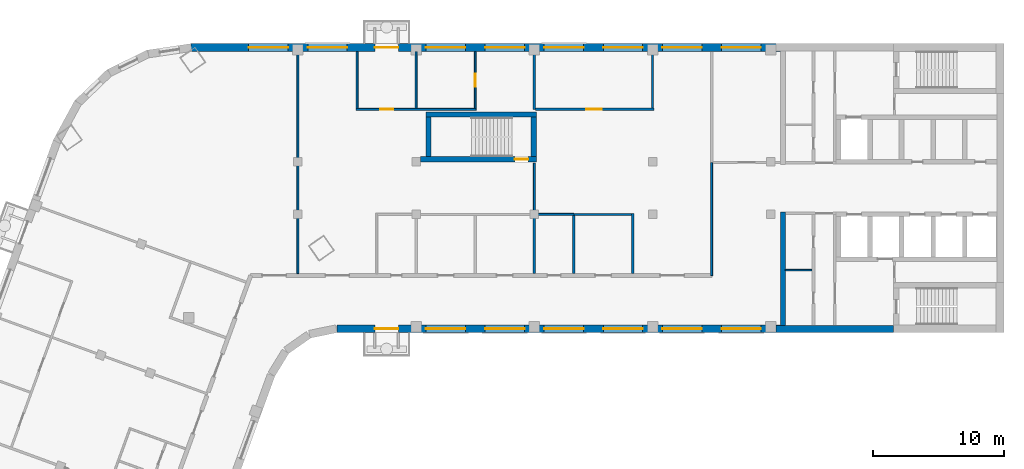
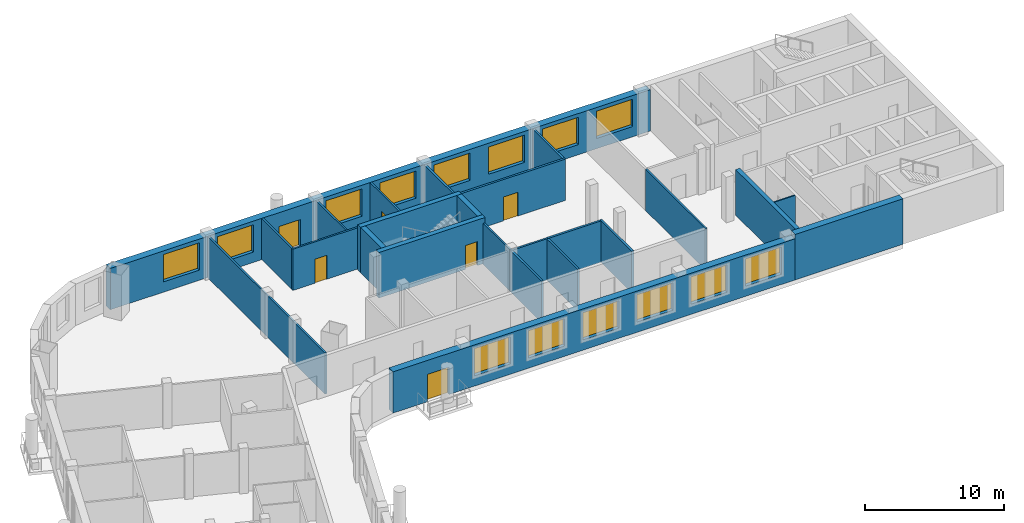
# One storey, part 5 of 11: 24 walls, 14 windows, 6 doors, 20 openings.
"""IFC4 building model written with IfcOpenShell, lengths in metres."""

from ifc_helpers import new_model, si_unit, direction, frame, frame_2d, origin, place, context, subcontext, project, spatial, rectangle, extrude, material, layer, layer_set, type_object, element, fill, save


model = new_model("IFC4")

# Units and contexts
model_context = context("Model", 3, precision=1e-05, world=origin(), true_north=direction((0.0, 1.0)))
body_context = subcontext(model_context, "Body", "Model", "MODEL_VIEW")
ifc_project = project(units=[si_unit("LENGTHUNIT", "METRE"), si_unit("AREAUNIT", "SQUARE_METRE"), si_unit("VOLUMEUNIT", "CUBIC_METRE"), si_unit("PLANEANGLEUNIT", "RADIAN"), si_unit("MASSUNIT", "GRAM", prefix="KILO")], contexts=[model_context])

# Site, building, storey
site_placement = place(None, origin())
site = spatial("IfcSite", under=ifc_project, at=site_placement, CompositionType="ELEMENT")
building_placement = place(site_placement, origin())
building = spatial("IfcBuilding", under=site, at=building_placement, Name="Skarvind Civic Tower", CompositionType="ELEMENT")
storey_placement = place(building_placement, frame((0.0, 0.0, 142.5)))
storey = spatial("IfcBuildingStorey", under=building, at=storey_placement, Name="L33", CompositionType="ELEMENT", Elevation=142.5)

# Walls
ifc_material_1 = material(Name="Acoustic gypsum board on steel studs", Category="steel")
ifc_layer_1 = layer(ifc_material_1, 0.175048828125)
ifc_layer_set_1 = layer_set([ifc_layer_1], Name="ACOUSTIC MEETING-ROOM PARTITION 175")
wall_type_1 = type_object("IfcWallType", Name="ACOUSTIC MEETING-ROOM PARTITION 175", PredefinedType="PARTITIONING", material=ifc_layer_set_1)
wall_1_placement = place(storey_placement, frame((72.25, 121.5, 0.0), z_axis=(0.0, 0.0, 1.0), x_axis=(0.0, 1.0, 0.0)))
element("IfcWall", 1, at=wall_1_placement, inside=storey, type_object=wall_type_1, Name="Partition 33.037", PredefinedType="PARTITIONING", context=body_context, shape_type="SweptSolid", body=[
    extrude(rectangle(XDim=4.5, YDim=0.175048828125, at=frame_2d((2.25, 0.0))), origin(), (0.0, 0.0, 1.0), 3.625),
])
wall_2_placement = place(storey_placement, frame((72.25, 134.0, 0.0), z_axis=(0.0, 0.0, 1.0), x_axis=(0.0, 1.0, 0.0)))
element("IfcWall", 2, at=wall_2_placement, inside=storey, type_object=wall_type_1, Name="Partition 33.040", PredefinedType="PARTITIONING", context=body_context, shape_type="SweptSolid", body=[
    extrude(rectangle(XDim=4.39990234375, YDim=0.175048828125, at=frame_2d((2.199951171875, 0.0))), origin(), (0.0, 0.0, 1.0), 3.625),
])
wall_3_placement = place(storey_placement, frame((75.25, 125.912109375, 0.0), z_axis=(0.0, 0.0, 1.0), x_axis=(0.0, -1.0, 0.0)))
element("IfcWall", 3, at=wall_3_placement, inside=storey, type_object=wall_type_1, Name="Partition 33.042", PredefinedType="PARTITIONING", context=body_context, shape_type="SweptSolid", body=[
    extrude(rectangle(XDim=4.412109375, YDim=0.175048828125, at=frame_2d((2.2060546875, 0.0))), origin(), (0.0, 0.0, 1.0), 3.625),
])
wall_4_placement = place(storey_placement, frame((79.75, 121.5, 0.0), z_axis=(0.0, 0.0, 1.0), x_axis=(0.0, 1.0, 0.0)))
element("IfcWall", 4, at=wall_4_placement, inside=storey, type_object=wall_type_1, Name="Partition 33.043", PredefinedType="PARTITIONING", context=body_context, shape_type="SweptSolid", body=[
    extrude(rectangle(XDim=4.587890625, YDim=0.175048828125, at=frame_2d((2.2939453125, 0.0))), origin(), (0.0, 0.0, 1.0), 3.625),
])
wall_5_placement = place(storey_placement, frame((79.662109375, 126.0, 0.0), z_axis=(0.0, 0.0, 1.0), x_axis=(-1.0, 0.0, 0.0)))
element("IfcWall", 5, at=wall_5_placement, inside=storey, type_object=wall_type_1, Name="Partition 33.044", PredefinedType="PARTITIONING", context=body_context, shape_type="SweptSolid", body=[
    extrude(rectangle(XDim=4.412109375, YDim=0.175048828125, at=frame_2d((2.2060546875, 0.0))), origin(), (0.0, 0.0, 1.0), 3.625),
])

# Wall, opening, door
wall_6_placement = place(storey_placement, frame((81.337890625, 134.0, 0.0), z_axis=(0.0, 0.0, 1.0), x_axis=(-1.0, 0.0, 0.0)))
wall_6 = element("IfcWall", 6, at=wall_6_placement, inside=storey, type_object=wall_type_1, Name="Partition 33.045", PredefinedType="PARTITIONING", context=body_context, shape_type="SweptSolid", body=[
    extrude(rectangle(XDim=9.0, YDim=0.175048828125, at=frame_2d((4.5, 0.0))), origin(), (0.0, 0.0, 1.0), 3.625),
])
opening_1_placement = place(wall_6_placement, frame((3.9541015625, 0.0, 0.0)))
opening_1 = element("IfcOpeningElement", 7, at=opening_1_placement, cuts=wall_6, Name="Opening L33-D004", PredefinedType="OPENING", context=body_context, shape_type="SweptSolid", body=[
    extrude(rectangle(XDim=1.199951171875, YDim=2.10009765625, at=frame_2d((0.60009765625, 1.050048828125))), frame((0.0, 0.097412109375, 0.0), z_axis=(0.0, -1.0, 0.0), x_axis=(1.0, 0.0, 0.0)), (0.0, 0.0, 1.0), 0.195068359375),
])
ifc_material_2 = material(Name="Timber door leaf", Category="wood")
door_type_1 = type_object("IfcDoorType", Name="DOOR 1200X2100 DOUBLE TIMBER", OperationType="NOTDEFINED", PredefinedType="DOOR", material=ifc_material_2)
door_1_placement = place(opening_1_placement, origin())
door_1 = element("IfcDoor", 8, at=door_1_placement, inside=storey, type_object=door_type_1, Name="Door L33-D004", OperationType="DOUBLE_DOOR_SINGLE_SWING", OverallHeight=2.10009765625, OverallWidth=1.199951171875, PredefinedType="DOOR", context=body_context, shape_type="SweptSolid", body=[
    extrude(rectangle(XDim=1.199951171875, YDim=2.10009765625, at=frame_2d((0.60009765625, 1.050048828125))), frame((0.0, 0.02490234375, 0.0), z_axis=(0.0, -1.0, 0.0), x_axis=(1.0, 0.0, 0.0)), (0.0, 0.0, 1.0), 0.050048828125),
])
fill(opening_1, door_1)

# Walls
wall_7_placement = place(storey_placement, frame((81.25, 138.39990234375, 0.0), z_axis=(0.0, 0.0, 1.0), x_axis=(0.0, -1.0, 0.0)))
element("IfcWall", 9, at=wall_7_placement, inside=storey, type_object=wall_type_1, Name="Partition 33.046", PredefinedType="PARTITIONING", context=body_context, shape_type="SweptSolid", body=[
    extrude(rectangle(XDim=4.31201171875, YDim=0.175048828125, at=frame_2d((2.156005859375, 0.0))), origin(), (0.0, 0.0, 1.0), 3.625),
])
ifc_material_3 = material(Name="Fire-rated plasterboard partition")
ifc_layer_2 = layer(ifc_material_3, 0.10009765625)
ifc_layer_set_2 = layer_set([ifc_layer_2], Name="Core partition wall 100")
wall_type_2 = type_object("IfcWallType", Name="Core partition wall 100", PredefinedType="PARTITIONING", material=ifc_layer_set_2)
wall_8_placement = place(storey_placement, frame((93.375, 121.760009765625, 0.0), z_axis=(0.0, 0.0, 1.0), x_axis=(-1.0, 0.0, 0.0)))
element("IfcWall", 10, at=wall_8_placement, inside=storey, type_object=wall_type_2, Name="Core wall C1", PredefinedType="PARTITIONING", context=body_context, shape_type="SweptSolid", body=[
    extrude(rectangle(XDim=2.02490234375, YDim=0.10009765625, at=frame_2d((1.012451171875, 0.0))), origin(), (0.0, 0.0, 1.0), 3.625),
])
ifc_material_4 = material(Name="Concrete C60", Category="concrete")
ifc_layer_3 = layer(ifc_material_4, 0.35009765625)
ifc_layer_set_3 = layer_set([ifc_layer_3], Name="Core wall 350 C60")
wall_type_3 = type_object("IfcWallType", Name="Core wall 350 C60", PredefinedType="SHEAR", material=ifc_layer_set_3)
wall_9_placement = place(storey_placement, frame((91.175048828125, 126.199951171875, 0.0), z_axis=(0.0, 0.0, 1.0), x_axis=(0.0, -1.0, 0.0)))
element("IfcWall", 11, at=wall_9_placement, inside=storey, type_object=wall_type_3, Name="Core wall C1 north inner face L33", PredefinedType="SHEAR", context=body_context, shape_type="SweptSolid", body=[
    extrude(rectangle(XDim=8.64990234375, YDim=0.35009765625, at=frame_2d((4.324951171875, 0.0))), origin(), (0.0, 0.0, 1.0), 4.0),
])

# Wall, opening, door
ifc_layer_4 = layer(ifc_material_4, 0.39990234375)
ifc_layer_set_4 = layer_set([ifc_layer_4], Name="Core wall 400 C60")
wall_type_4 = type_object("IfcWallType", Name="Core wall 400 C60", PredefinedType="SHEAR", material=ifc_layer_set_4)
wall_10_placement = place(storey_placement, frame((63.574951171875, 130.199951171875, 0.0), z_axis=(0.0, 0.0, 1.0), x_axis=(1.0, 0.0, 0.0)))
wall_10 = element("IfcWall", 12, at=wall_10_placement, inside=storey, type_object=wall_type_4, Name="Core wall CM inner L33", PredefinedType="SHEAR", context=body_context, shape_type="SweptSolid", body=[
    extrude(rectangle(XDim=8.824951171875, YDim=0.39990234375, at=frame_2d((4.41259765625, 0.0))), origin(), (0.0, 0.0, 1.0), 4.0),
])
opening_2_placement = place(wall_10_placement, frame((7.199951171875, 0.0, 0.0)))
opening_2 = element("IfcOpeningElement", 13, at=opening_2_placement, cuts=wall_10, Name="Opening D-L33-CM-01", PredefinedType="OPENING", context=body_context, shape_type="SweptSolid", body=[
    extrude(rectangle(XDim=1.0, YDim=2.10009765625, at=frame_2d((0.5, 1.050048828125))), frame((0.0, 0.2099609375, 0.0), z_axis=(0.0, -1.0, 0.0), x_axis=(1.0, 0.0, 0.0)), (0.0, 0.0, 1.0), 0.419921875),
])
ifc_material_5 = material(Name="Fire-rated steel door", Category="steel")
door_type_2 = type_object("IfcDoorType", Name="Fire door 1000", OperationType="NOTDEFINED", PredefinedType="DOOR", material=ifc_material_5)
door_2_placement = place(opening_2_placement, origin())
door_2 = element("IfcDoor", 14, at=door_2_placement, inside=storey, type_object=door_type_2, Name="Fire door", OperationType="SINGLE_SWING_LEFT", OverallHeight=2.10009765625, OverallWidth=1.0, PredefinedType="DOOR", context=body_context, shape_type="SweptSolid", body=[
    extrude(rectangle(XDim=1.0, YDim=2.10009765625, at=frame_2d((0.5, 1.050048828125))), frame((0.0, 0.02490234375, 0.0), z_axis=(0.0, -1.0, 0.0), x_axis=(1.0, 0.0, 0.0)), (0.0, 0.0, 1.0), 0.050048828125),
])
fill(opening_2, door_2)

# Walls
wall_11_placement = place(storey_placement, frame((64.0, 133.60009765625, 0.0), z_axis=(0.0, 0.0, 1.0), x_axis=(1.0, 0.0, 0.0)))
element("IfcWall", 15, at=wall_11_placement, inside=storey, type_object=wall_type_4, Name="Core wall CM outer L33", PredefinedType="SHEAR", context=body_context, shape_type="SweptSolid", body=[
    extrude(rectangle(XDim=8.39990234375, YDim=0.39990234375, at=frame_2d((4.199951171875, 0.0))), origin(), (0.0, 0.0, 1.0), 4.0),
])
for number, where, z_axis, x_axis, name in (
    (16, (64.199951171875, 130.39990234375, 0.0), (0.0, 0.0, 1.0), (0.0, 1.0, 0.0), "Core wall CM west L33"),
    (17, (72.199951171875, 130.39990234375, 0.0), (0.0, 0.0, 1.0), (0.0, 1.0, 0.0), "Core wall CM end L33"),
):
    element("IfcWall", number, at=place(storey_placement, frame(where, z_axis=z_axis, x_axis=x_axis)), inside=storey, type_object=wall_type_4, Name=name, PredefinedType="SHEAR", context=body_context, shape_type="SweptSolid", body=[
        extrude(rectangle(XDim=3.0, YDim=0.39990234375, at=frame_2d((1.5, 0.0))), origin(), (0.0, 0.0, 1.0), 4.0),
    ])
ifc_layer_5 = layer(ifc_material_4, 0.550048828125)
ifc_layer_set_5 = layer_set([ifc_layer_5], Name="Core wall 550 C60")
wall_type_5 = type_object("IfcWallType", Name="Core wall 550 C60", PredefinedType="SHEAR", material=ifc_layer_set_5)
wall_12_placement = place(storey_placement, frame((99.60009765625, 117.27490234375, 0.0), z_axis=(0.0, 0.0, 1.0), x_axis=(-1.0, 0.0, 0.0)))
element("IfcWall", 18, at=wall_12_placement, inside=storey, type_object=wall_type_5, Name="Core wall C1 north side L33", PredefinedType="SHEAR", context=body_context, shape_type="SweptSolid", body=[
    extrude(rectangle(XDim=8.9501953125, YDim=0.550048828125, at=frame_2d((4.47509765625, 0.0))), origin(), (0.0, 0.0, 1.0), 4.0),
])
ifc_material_6 = material(Name="Plasterboard partition on steel studs", Category="steel")
ifc_layer_6 = layer(ifc_material_6, 0.14990234375)
ifc_layer_set_6 = layer_set([ifc_layer_6], Name="PARTITION 150")
wall_type_6 = type_object("IfcWallType", Name="PARTITION 150", PredefinedType="PARTITIONING", material=ifc_layer_set_6)
wall_13_placement = place(storey_placement, frame((54.25, 138.39990234375, 0.0), z_axis=(0.0, 0.0, 1.0), x_axis=(0.0, -1.0, 0.0)))
element("IfcWall", 19, at=wall_13_placement, inside=storey, type_object=wall_type_6, Name="Partition 33.027", PredefinedType="PARTITIONING", context=body_context, shape_type="SweptSolid", body=[
    extrude(rectangle(XDim=16.89990234375, YDim=0.14990234375, at=frame_2d((8.449951171875, 0.0))), origin(), (0.0, 0.0, 1.0), 3.625),
])
wall_14_placement = place(storey_placement, frame((58.75, 134.074951171875, 0.0), z_axis=(0.0, 0.0, 1.0), x_axis=(0.0, 1.0, 0.0)))
element("IfcWall", 20, at=wall_14_placement, inside=storey, type_object=wall_type_6, Name="Partition 33.028", PredefinedType="PARTITIONING", context=body_context, shape_type="SweptSolid", body=[
    extrude(rectangle(XDim=4.324951171875, YDim=0.14990234375, at=frame_2d((2.16259765625, 0.0))), origin(), (0.0, 0.0, 1.0), 3.625),
])

# Wall, opening, door
wall_15_placement = place(storey_placement, frame((67.824951171875, 134.0, 0.0), z_axis=(0.0, 0.0, 1.0), x_axis=(-1.0, 0.0, 0.0)))
wall_15 = element("IfcWall", 21, at=wall_15_placement, inside=storey, type_object=wall_type_6, Name="Partition 33.029", PredefinedType="PARTITIONING", context=body_context, shape_type="SweptSolid", body=[
    extrude(rectangle(XDim=9.14990234375, YDim=0.14990234375, at=frame_2d((4.574951171875, 0.0))), origin(), (0.0, 0.0, 1.0), 3.625),
])
opening_3_placement = place(wall_15_placement, frame((6.324951171875, 0.0, 0.0)))
opening_3 = element("IfcOpeningElement", 22, at=opening_3_placement, cuts=wall_15, Name="Opening L33-D010", PredefinedType="OPENING", context=body_context, shape_type="SweptSolid", body=[
    extrude(rectangle(XDim=1.0, YDim=2.10009765625, at=frame_2d((0.5, 1.050048828125))), frame((0.0, 0.0849609375, 0.0), z_axis=(0.0, -1.0, 0.0), x_axis=(1.0, 0.0, 0.0)), (0.0, 0.0, 1.0), 0.169921875),
])
door_type_3 = type_object("IfcDoorType", Name="D1 1000x2100", OperationType="NOTDEFINED", PredefinedType="DOOR", material=ifc_material_2)
door_3_placement = place(opening_3_placement, origin())
door_3 = element("IfcDoor", 23, at=door_3_placement, inside=storey, type_object=door_type_3, Name="Door L33-D010", OperationType="SINGLE_SWING_RIGHT", OverallHeight=2.10009765625, OverallWidth=1.0, PredefinedType="DOOR", context=body_context, shape_type="SweptSolid", body=[
    extrude(rectangle(XDim=1.0, YDim=2.10009765625, at=frame_2d((0.5, 1.050048828125))), frame((0.0, 0.02490234375, 0.0), z_axis=(0.0, -1.0, 0.0), x_axis=(1.0, 0.0, 0.0)), (0.0, 0.0, 1.0), 0.050048828125),
])
fill(opening_3, door_3)

# Wall
wall_16_placement = place(storey_placement, frame((63.25, 134.074951171875, 0.0), z_axis=(0.0, 0.0, 1.0), x_axis=(0.0, 1.0, 0.0)))
element("IfcWall", 24, at=wall_16_placement, inside=storey, type_object=wall_type_6, Name="Partition 33.034", PredefinedType="PARTITIONING", context=body_context, shape_type="SweptSolid", body=[
    extrude(rectangle(XDim=4.324951171875, YDim=0.14990234375, at=frame_2d((2.16259765625, 0.0))), origin(), (0.0, 0.0, 1.0), 3.625),
])

# Wall, opening, door
wall_17_placement = place(storey_placement, frame((67.75, 138.39990234375, 0.0), z_axis=(0.0, 0.0, 1.0), x_axis=(0.0, -1.0, 0.0)))
wall_17 = element("IfcWall", 25, at=wall_17_placement, inside=storey, type_object=wall_type_6, Name="Partition 33.036", PredefinedType="PARTITIONING", context=body_context, shape_type="SweptSolid", body=[
    extrude(rectangle(XDim=4.324951171875, YDim=0.14990234375, at=frame_2d((2.16259765625, 0.0))), origin(), (0.0, 0.0, 1.0), 3.625),
])
opening_4_placement = place(wall_17_placement, frame((1.672607421875, 0.0, 0.0)))
opening_4 = element("IfcOpeningElement", 26, at=opening_4_placement, cuts=wall_17, Name="Opening L33-D009", PredefinedType="OPENING", context=body_context, shape_type="SweptSolid", body=[
    extrude(rectangle(XDim=1.0, YDim=2.10009765625, at=frame_2d((0.5, 1.050048828125))), frame((0.0, 0.0849609375, 0.0), z_axis=(0.0, -1.0, 0.0), x_axis=(1.0, 0.0, 0.0)), (0.0, 0.0, 1.0), 0.169921875),
])
door_4_placement = place(opening_4_placement, origin())
door_4 = element("IfcDoor", 27, at=door_4_placement, inside=storey, type_object=door_type_3, Name="Door L33-D009", OperationType="SINGLE_SWING_LEFT", OverallHeight=2.10009765625, OverallWidth=1.0, PredefinedType="DOOR", context=body_context, shape_type="SweptSolid", body=[
    extrude(rectangle(XDim=1.0, YDim=2.10009765625, at=frame_2d((0.5, 1.050048828125))), frame((0.0, 0.02490234375, 0.0), z_axis=(0.0, -1.0, 0.0), x_axis=(1.0, 0.0, 0.0)), (0.0, 0.0, 1.0), 0.050048828125),
])
fill(opening_4, door_4)

# Walls
wall_18_placement = place(storey_placement, frame((72.25, 126.0, 0.0), z_axis=(0.0, 0.0, 1.0), x_axis=(0.0, 1.0, 0.0)))
element("IfcWall", 28, at=wall_18_placement, inside=storey, type_object=wall_type_6, Name="Partition 33.038", PredefinedType="PARTITIONING", context=body_context, shape_type="SweptSolid", body=[
    extrude(rectangle(XDim=3.89990234375, YDim=0.14990234375, at=frame_2d((1.949951171875, 0.0))), origin(), (0.0, 0.0, 1.0), 3.625),
])
wall_19_placement = place(storey_placement, frame((75.25, 126.0, 0.0), z_axis=(0.0, 0.0, 1.0), x_axis=(-1.0, 0.0, 0.0)))
element("IfcWall", 29, at=wall_19_placement, inside=storey, type_object=wall_type_6, Name="Partition 33.041", PredefinedType="PARTITIONING", context=body_context, shape_type="SweptSolid", body=[
    extrude(rectangle(XDim=3.0, YDim=0.14990234375, at=frame_2d((1.5, 0.0))), origin(), (0.0, 0.0, 1.0), 3.625),
])
wall_20_placement = place(storey_placement, frame((85.75, 121.35009765625, 0.0), z_axis=(0.0, 0.0, 1.0), x_axis=(0.0, 1.0, 0.0)))
element("IfcWall", 30, at=wall_20_placement, inside=storey, type_object=wall_type_6, Name="Partition 33.047", PredefinedType="PARTITIONING", context=body_context, shape_type="SweptSolid", body=[
    extrude(rectangle(XDim=8.599853515625, YDim=0.14990234375, at=frame_2d((4.2998046875, 0.0))), origin(), (0.0, 0.0, 1.0), 3.625),
])

# Wall, openings, door, windows
ifc_material_7 = material(Name="Limestone masonry cladding on insulated backing", Category="masonry")
ifc_layer_7 = layer(ifc_material_7, 0.60009765625)
ifc_layer_set_7 = layer_set([ifc_layer_7], Name="WX1 STONE FACADE WALL 600")
wall_type_7 = type_object("IfcWallType", Name="WX1 STONE FACADE WALL 600", PredefinedType="SOLIDWALL", material=ifc_layer_set_7)
wall_21_placement = place(storey_placement, frame((90.97998046875, 117.300048828125, 0.0), z_axis=(0.0, 0.0, 1.0), x_axis=(-1.0, 0.0, 0.0)))
wall_21 = element("IfcWall", 31, at=wall_21_placement, inside=storey, type_object=wall_type_7, Name="STONE FACADE WALL", PredefinedType="SOLIDWALL", context=body_context, shape_type="SweptSolid", body=[
    extrude(rectangle(XDim=33.744873046875, YDim=0.60009765625, at=frame_2d((16.87255859375, 0.0))), origin(), (0.0, 0.0, 1.0), 3.625),
])
opening_5_placement = place(wall_21_placement, frame((1.47998046875, 0.0, 0.89990234375)))
opening_5 = element("IfcOpeningElement", 32, at=opening_5_placement, cuts=wall_21, Name="Opening WN1", PredefinedType="OPENING", context=body_context, shape_type="SweptSolid", body=[
    extrude(rectangle(XDim=3.0, YDim=2.39990234375, at=frame_2d((1.5, 1.199951171875))), frame((0.0, 0.31005859375, 0.0), z_axis=(0.0, -1.0, 0.0), x_axis=(1.0, 0.0, 0.0)), (0.0, 0.0, 1.0), 0.6201171875),
])
opening_6_placement = place(wall_21_placement, frame((5.97998046875, 0.0, 0.89990234375)))
opening_6 = element("IfcOpeningElement", 33, at=opening_6_placement, cuts=wall_21, Name="Opening WN1", PredefinedType="OPENING", context=body_context, shape_type="SweptSolid", body=[
    extrude(rectangle(XDim=3.0, YDim=2.39990234375, at=frame_2d((1.5, 1.199951171875))), frame((0.0, 0.31005859375, 0.0), z_axis=(0.0, -1.0, 0.0), x_axis=(1.0, 0.0, 0.0)), (0.0, 0.0, 1.0), 0.6201171875),
])
opening_7_placement = place(wall_21_placement, frame((10.47998046875, 0.0, 0.89990234375)))
opening_7 = element("IfcOpeningElement", 34, at=opening_7_placement, cuts=wall_21, Name="Opening WN1", PredefinedType="OPENING", context=body_context, shape_type="SweptSolid", body=[
    extrude(rectangle(XDim=3.0, YDim=2.39990234375, at=frame_2d((1.5, 1.199951171875))), frame((0.0, 0.31005859375, 0.0), z_axis=(0.0, -1.0, 0.0), x_axis=(1.0, 0.0, 0.0)), (0.0, 0.0, 1.0), 0.6201171875),
])
opening_8_placement = place(wall_21_placement, frame((14.97998046875, 0.0, 0.89990234375)))
opening_8 = element("IfcOpeningElement", 35, at=opening_8_placement, cuts=wall_21, Name="Opening WN1", PredefinedType="OPENING", context=body_context, shape_type="SweptSolid", body=[
    extrude(rectangle(XDim=3.0, YDim=2.39990234375, at=frame_2d((1.5, 1.199951171875))), frame((0.0, 0.31005859375, 0.0), z_axis=(0.0, -1.0, 0.0), x_axis=(1.0, 0.0, 0.0)), (0.0, 0.0, 1.0), 0.6201171875),
])
opening_9_placement = place(wall_21_placement, frame((19.47998046875, 0.0, 0.89990234375)))
opening_9 = element("IfcOpeningElement", 36, at=opening_9_placement, cuts=wall_21, Name="Opening WN1", PredefinedType="OPENING", context=body_context, shape_type="SweptSolid", body=[
    extrude(rectangle(XDim=3.0, YDim=2.39990234375, at=frame_2d((1.5, 1.199951171875))), frame((0.0, 0.31005859375, 0.0), z_axis=(0.0, -1.0, 0.0), x_axis=(1.0, 0.0, 0.0)), (0.0, 0.0, 1.0), 0.6201171875),
])
opening_10_placement = place(wall_21_placement, frame((23.97998046875, 0.0, 0.89990234375)))
opening_10 = element("IfcOpeningElement", 37, at=opening_10_placement, cuts=wall_21, Name="Opening WN1", PredefinedType="OPENING", context=body_context, shape_type="SweptSolid", body=[
    extrude(rectangle(XDim=3.0, YDim=2.39990234375, at=frame_2d((1.5, 1.199951171875))), frame((0.0, 0.31005859375, 0.0), z_axis=(0.0, -1.0, 0.0), x_axis=(1.0, 0.0, 0.0)), (0.0, 0.0, 1.0), 0.6201171875),
])
opening_11_placement = place(wall_21_placement, frame((29.080078125, 0.0, 0.0)))
opening_11 = element("IfcOpeningElement", 38, at=opening_11_placement, cuts=wall_21, Name="Opening DX3", PredefinedType="OPENING", context=body_context, shape_type="SweptSolid", body=[
    extrude(rectangle(XDim=1.800048828125, YDim=2.39990234375, at=frame_2d((0.89990234375, 1.199951171875))), frame((0.0, 0.31005859375, 0.0), z_axis=(0.0, -1.0, 0.0), x_axis=(1.0, 0.0, 0.0)), (0.0, 0.0, 1.0), 0.6201171875),
])
ifc_material_8 = material(Name="Timber and glass doorset", Category="wood")
door_type_4 = type_object("IfcDoorType", Name="DX3 TERRACE DOORS 1800 x 2400", OperationType="NOTDEFINED", PredefinedType="DOOR", material=ifc_material_8)
door_5_placement = place(opening_11_placement, origin())
door_5 = element("IfcDoor", 39, at=door_5_placement, inside=storey, type_object=door_type_4, Name="TERRACE DOORS", OperationType="DOUBLE_DOOR_SINGLE_SWING", OverallHeight=2.39990234375, OverallWidth=1.800048828125, PredefinedType="DOOR", context=body_context, shape_type="SweptSolid", body=[
    extrude(rectangle(XDim=1.800048828125, YDim=2.39990234375, at=frame_2d((0.89990234375, 1.199951171875))), frame((0.0, 0.02490234375, 0.0), z_axis=(0.0, -1.0, 0.0), x_axis=(1.0, 0.0, 0.0)), (0.0, 0.0, 1.0), 0.050048828125),
])
fill(opening_11, door_5)
ifc_material_9 = material(Name="Timber frame, double glazing, timber-lined reveal", Category="wood")
window_type = type_object("IfcWindowType", Name="WN1 PUNCHED STONE WINDOW 3000 x 2400", PartitioningType="SINGLE_PANEL", PredefinedType="WINDOW", material=ifc_material_9)
window_1_placement = place(opening_5_placement, origin())
window_1 = element("IfcWindow", 40, at=window_1_placement, inside=storey, type_object=window_type, Name="WN1 WINDOW", OverallHeight=2.39990234375, OverallWidth=3.0, PartitioningType="SINGLE_PANEL", PredefinedType="WINDOW", context=body_context, shape_type="SweptSolid", body=[
    extrude(rectangle(XDim=3.0, YDim=2.39990234375, at=frame_2d((1.5, 1.199951171875))), frame((0.0, 0.030029296875, 0.0), z_axis=(0.0, -1.0, 0.0), x_axis=(1.0, 0.0, 0.0)), (0.0, 0.0, 1.0), 0.06005859375),
])
fill(opening_5, window_1)
window_2_placement = place(opening_6_placement, origin())
window_2 = element("IfcWindow", 41, at=window_2_placement, inside=storey, type_object=window_type, Name="WN1 WINDOW", OverallHeight=2.39990234375, OverallWidth=3.0, PartitioningType="SINGLE_PANEL", PredefinedType="WINDOW", context=body_context, shape_type="SweptSolid", body=[
    extrude(rectangle(XDim=3.0, YDim=2.39990234375, at=frame_2d((1.5, 1.199951171875))), frame((0.0, 0.030029296875, 0.0), z_axis=(0.0, -1.0, 0.0), x_axis=(1.0, 0.0, 0.0)), (0.0, 0.0, 1.0), 0.06005859375),
])
fill(opening_6, window_2)
window_3_placement = place(opening_7_placement, origin())
window_3 = element("IfcWindow", 42, at=window_3_placement, inside=storey, type_object=window_type, Name="WN1 WINDOW", OverallHeight=2.39990234375, OverallWidth=3.0, PartitioningType="SINGLE_PANEL", PredefinedType="WINDOW", context=body_context, shape_type="SweptSolid", body=[
    extrude(rectangle(XDim=3.0, YDim=2.39990234375, at=frame_2d((1.5, 1.199951171875))), frame((0.0, 0.030029296875, 0.0), z_axis=(0.0, -1.0, 0.0), x_axis=(1.0, 0.0, 0.0)), (0.0, 0.0, 1.0), 0.06005859375),
])
fill(opening_7, window_3)
window_4_placement = place(opening_8_placement, origin())
window_4 = element("IfcWindow", 43, at=window_4_placement, inside=storey, type_object=window_type, Name="WN1 WINDOW", OverallHeight=2.39990234375, OverallWidth=3.0, PartitioningType="SINGLE_PANEL", PredefinedType="WINDOW", context=body_context, shape_type="SweptSolid", body=[
    extrude(rectangle(XDim=3.0, YDim=2.39990234375, at=frame_2d((1.5, 1.199951171875))), frame((0.0, 0.030029296875, 0.0), z_axis=(0.0, -1.0, 0.0), x_axis=(1.0, 0.0, 0.0)), (0.0, 0.0, 1.0), 0.06005859375),
])
fill(opening_8, window_4)
window_5_placement = place(opening_9_placement, origin())
window_5 = element("IfcWindow", 44, at=window_5_placement, inside=storey, type_object=window_type, Name="WN1 WINDOW", OverallHeight=2.39990234375, OverallWidth=3.0, PartitioningType="SINGLE_PANEL", PredefinedType="WINDOW", context=body_context, shape_type="SweptSolid", body=[
    extrude(rectangle(XDim=3.0, YDim=2.39990234375, at=frame_2d((1.5, 1.199951171875))), frame((0.0, 0.030029296875, 0.0), z_axis=(0.0, -1.0, 0.0), x_axis=(1.0, 0.0, 0.0)), (0.0, 0.0, 1.0), 0.06005859375),
])
fill(opening_9, window_5)
window_6_placement = place(opening_10_placement, origin())
window_6 = element("IfcWindow", 45, at=window_6_placement, inside=storey, type_object=window_type, Name="WN1 WINDOW", OverallHeight=2.39990234375, OverallWidth=3.0, PartitioningType="SINGLE_PANEL", PredefinedType="WINDOW", context=body_context, shape_type="SweptSolid", body=[
    extrude(rectangle(XDim=3.0, YDim=2.39990234375, at=frame_2d((1.5, 1.199951171875))), frame((0.0, 0.030029296875, 0.0), z_axis=(0.0, -1.0, 0.0), x_axis=(1.0, 0.0, 0.0)), (0.0, 0.0, 1.0), 0.06005859375),
])
fill(opening_10, window_6)

wall_22_placement = place(storey_placement, frame((46.095458984375, 138.699951171875, 0.0), z_axis=(0.0, 0.0, 1.0), x_axis=(1.0, 0.0, 0.0)))
wall_22 = element("IfcWall", 46, at=wall_22_placement, inside=storey, type_object=wall_type_7, Name="STONE FACADE WALL", PredefinedType="SOLIDWALL", context=body_context, shape_type="SweptSolid", body=[
    extrude(rectangle(XDim=44.884521484375, YDim=0.60009765625, at=frame_2d((22.4423828125, 0.0))), origin(), (0.0, 0.0, 1.0), 3.625),
])
opening_12_placement = place(wall_22_placement, frame((4.404541015625, 0.0, 0.89990234375)))
opening_12 = element("IfcOpeningElement", 47, at=opening_12_placement, cuts=wall_22, Name="Opening WN1", PredefinedType="OPENING", context=body_context, shape_type="SweptSolid", body=[
    extrude(rectangle(XDim=3.0, YDim=2.39990234375, at=frame_2d((1.5, 1.199951171875))), frame((0.0, 0.31005859375, 0.0), z_axis=(0.0, -1.0, 0.0), x_axis=(1.0, 0.0, 0.0)), (0.0, 0.0, 1.0), 0.6201171875),
])
opening_13_placement = place(wall_22_placement, frame((8.904541015625, 0.0, 0.89990234375)))
opening_13 = element("IfcOpeningElement", 48, at=opening_13_placement, cuts=wall_22, Name="Opening WN1", PredefinedType="OPENING", context=body_context, shape_type="SweptSolid", body=[
    extrude(rectangle(XDim=3.0, YDim=2.39990234375, at=frame_2d((1.5, 1.199951171875))), frame((0.0, 0.31005859375, 0.0), z_axis=(0.0, -1.0, 0.0), x_axis=(1.0, 0.0, 0.0)), (0.0, 0.0, 1.0), 0.6201171875),
])
opening_14_placement = place(wall_22_placement, frame((14.00439453125, 0.0, 0.0)))
opening_14 = element("IfcOpeningElement", 49, at=opening_14_placement, cuts=wall_22, Name="Opening DX3", PredefinedType="OPENING", context=body_context, shape_type="SweptSolid", body=[
    extrude(rectangle(XDim=1.800048828125, YDim=2.39990234375, at=frame_2d((0.89990234375, 1.199951171875))), frame((0.0, 0.31005859375, 0.0), z_axis=(0.0, -1.0, 0.0), x_axis=(1.0, 0.0, 0.0)), (0.0, 0.0, 1.0), 0.6201171875),
])
opening_15_placement = place(wall_22_placement, frame((17.904541015625, 0.0, 0.89990234375)))
opening_15 = element("IfcOpeningElement", 50, at=opening_15_placement, cuts=wall_22, Name="Opening WN1", PredefinedType="OPENING", context=body_context, shape_type="SweptSolid", body=[
    extrude(rectangle(XDim=3.0, YDim=2.39990234375, at=frame_2d((1.5, 1.199951171875))), frame((0.0, 0.31005859375, 0.0), z_axis=(0.0, -1.0, 0.0), x_axis=(1.0, 0.0, 0.0)), (0.0, 0.0, 1.0), 0.6201171875),
])
opening_16_placement = place(wall_22_placement, frame((22.404541015625, 0.0, 0.89990234375)))
opening_16 = element("IfcOpeningElement", 51, at=opening_16_placement, cuts=wall_22, Name="Opening WN1", PredefinedType="OPENING", context=body_context, shape_type="SweptSolid", body=[
    extrude(rectangle(XDim=3.0, YDim=2.39990234375, at=frame_2d((1.5, 1.199951171875))), frame((0.0, 0.31005859375, 0.0), z_axis=(0.0, -1.0, 0.0), x_axis=(1.0, 0.0, 0.0)), (0.0, 0.0, 1.0), 0.6201171875),
])
opening_17_placement = place(wall_22_placement, frame((26.904541015625, 0.0, 0.89990234375)))
opening_17 = element("IfcOpeningElement", 52, at=opening_17_placement, cuts=wall_22, Name="Opening WN1", PredefinedType="OPENING", context=body_context, shape_type="SweptSolid", body=[
    extrude(rectangle(XDim=3.0, YDim=2.39990234375, at=frame_2d((1.5, 1.199951171875))), frame((0.0, 0.31005859375, 0.0), z_axis=(0.0, -1.0, 0.0), x_axis=(1.0, 0.0, 0.0)), (0.0, 0.0, 1.0), 0.6201171875),
])
opening_18_placement = place(wall_22_placement, frame((31.404541015625, 0.0, 0.89990234375)))
opening_18 = element("IfcOpeningElement", 53, at=opening_18_placement, cuts=wall_22, Name="Opening WN1", PredefinedType="OPENING", context=body_context, shape_type="SweptSolid", body=[
    extrude(rectangle(XDim=3.0, YDim=2.39990234375, at=frame_2d((1.5, 1.199951171875))), frame((0.0, 0.31005859375, 0.0), z_axis=(0.0, -1.0, 0.0), x_axis=(1.0, 0.0, 0.0)), (0.0, 0.0, 1.0), 0.6201171875),
])
opening_19_placement = place(wall_22_placement, frame((35.904541015625, 0.0, 0.89990234375)))
opening_19 = element("IfcOpeningElement", 54, at=opening_19_placement, cuts=wall_22, Name="Opening WN1", PredefinedType="OPENING", context=body_context, shape_type="SweptSolid", body=[
    extrude(rectangle(XDim=3.0, YDim=2.39990234375, at=frame_2d((1.5, 1.199951171875))), frame((0.0, 0.31005859375, 0.0), z_axis=(0.0, -1.0, 0.0), x_axis=(1.0, 0.0, 0.0)), (0.0, 0.0, 1.0), 0.6201171875),
])
opening_20_placement = place(wall_22_placement, frame((40.404541015625, 0.0, 0.89990234375)))
opening_20 = element("IfcOpeningElement", 55, at=opening_20_placement, cuts=wall_22, Name="Opening WN1", PredefinedType="OPENING", context=body_context, shape_type="SweptSolid", body=[
    extrude(rectangle(XDim=3.0, YDim=2.39990234375, at=frame_2d((1.5, 1.199951171875))), frame((0.0, 0.31005859375, 0.0), z_axis=(0.0, -1.0, 0.0), x_axis=(1.0, 0.0, 0.0)), (0.0, 0.0, 1.0), 0.6201171875),
])
door_6_placement = place(opening_14_placement, origin())
door_6 = element("IfcDoor", 56, at=door_6_placement, inside=storey, type_object=door_type_4, Name="TERRACE DOORS", OperationType="DOUBLE_DOOR_SINGLE_SWING", OverallHeight=2.39990234375, OverallWidth=1.800048828125, PredefinedType="DOOR", context=body_context, shape_type="SweptSolid", body=[
    extrude(rectangle(XDim=1.800048828125, YDim=2.39990234375, at=frame_2d((0.89990234375, 1.199951171875))), frame((0.0, 0.02490234375, 0.0), z_axis=(0.0, -1.0, 0.0), x_axis=(1.0, 0.0, 0.0)), (0.0, 0.0, 1.0), 0.050048828125),
])
fill(opening_14, door_6)
window_7_placement = place(opening_12_placement, origin())
window_7 = element("IfcWindow", 57, at=window_7_placement, inside=storey, type_object=window_type, Name="WN1 WINDOW", OverallHeight=2.39990234375, OverallWidth=3.0, PartitioningType="SINGLE_PANEL", PredefinedType="WINDOW", context=body_context, shape_type="SweptSolid", body=[
    extrude(rectangle(XDim=3.0, YDim=2.39990234375, at=frame_2d((1.5, 1.199951171875))), frame((0.0, 0.030029296875, 0.0), z_axis=(0.0, -1.0, 0.0), x_axis=(1.0, 0.0, 0.0)), (0.0, 0.0, 1.0), 0.06005859375),
])
fill(opening_12, window_7)
window_8_placement = place(opening_13_placement, origin())
window_8 = element("IfcWindow", 58, at=window_8_placement, inside=storey, type_object=window_type, Name="WN1 WINDOW", OverallHeight=2.39990234375, OverallWidth=3.0, PartitioningType="SINGLE_PANEL", PredefinedType="WINDOW", context=body_context, shape_type="SweptSolid", body=[
    extrude(rectangle(XDim=3.0, YDim=2.39990234375, at=frame_2d((1.5, 1.199951171875))), frame((0.0, 0.030029296875, 0.0), z_axis=(0.0, -1.0, 0.0), x_axis=(1.0, 0.0, 0.0)), (0.0, 0.0, 1.0), 0.06005859375),
])
fill(opening_13, window_8)
window_9_placement = place(opening_15_placement, origin())
window_9 = element("IfcWindow", 59, at=window_9_placement, inside=storey, type_object=window_type, Name="WN1 WINDOW", OverallHeight=2.39990234375, OverallWidth=3.0, PartitioningType="SINGLE_PANEL", PredefinedType="WINDOW", context=body_context, shape_type="SweptSolid", body=[
    extrude(rectangle(XDim=3.0, YDim=2.39990234375, at=frame_2d((1.5, 1.199951171875))), frame((0.0, 0.030029296875, 0.0), z_axis=(0.0, -1.0, 0.0), x_axis=(1.0, 0.0, 0.0)), (0.0, 0.0, 1.0), 0.06005859375),
])
fill(opening_15, window_9)
window_10_placement = place(opening_16_placement, origin())
window_10 = element("IfcWindow", 60, at=window_10_placement, inside=storey, type_object=window_type, Name="WN1 WINDOW", OverallHeight=2.39990234375, OverallWidth=3.0, PartitioningType="SINGLE_PANEL", PredefinedType="WINDOW", context=body_context, shape_type="SweptSolid", body=[
    extrude(rectangle(XDim=3.0, YDim=2.39990234375, at=frame_2d((1.5, 1.199951171875))), frame((0.0, 0.030029296875, 0.0), z_axis=(0.0, -1.0, 0.0), x_axis=(1.0, 0.0, 0.0)), (0.0, 0.0, 1.0), 0.06005859375),
])
fill(opening_16, window_10)
window_11_placement = place(opening_17_placement, origin())
window_11 = element("IfcWindow", 61, at=window_11_placement, inside=storey, type_object=window_type, Name="WN1 WINDOW", OverallHeight=2.39990234375, OverallWidth=3.0, PartitioningType="SINGLE_PANEL", PredefinedType="WINDOW", context=body_context, shape_type="SweptSolid", body=[
    extrude(rectangle(XDim=3.0, YDim=2.39990234375, at=frame_2d((1.5, 1.199951171875))), frame((0.0, 0.030029296875, 0.0), z_axis=(0.0, -1.0, 0.0), x_axis=(1.0, 0.0, 0.0)), (0.0, 0.0, 1.0), 0.06005859375),
])
fill(opening_17, window_11)
window_12_placement = place(opening_18_placement, origin())
window_12 = element("IfcWindow", 62, at=window_12_placement, inside=storey, type_object=window_type, Name="WN1 WINDOW", OverallHeight=2.39990234375, OverallWidth=3.0, PartitioningType="SINGLE_PANEL", PredefinedType="WINDOW", context=body_context, shape_type="SweptSolid", body=[
    extrude(rectangle(XDim=3.0, YDim=2.39990234375, at=frame_2d((1.5, 1.199951171875))), frame((0.0, 0.030029296875, 0.0), z_axis=(0.0, -1.0, 0.0), x_axis=(1.0, 0.0, 0.0)), (0.0, 0.0, 1.0), 0.06005859375),
])
fill(opening_18, window_12)
window_13_placement = place(opening_19_placement, origin())
window_13 = element("IfcWindow", 63, at=window_13_placement, inside=storey, type_object=window_type, Name="WN1 WINDOW", OverallHeight=2.39990234375, OverallWidth=3.0, PartitioningType="SINGLE_PANEL", PredefinedType="WINDOW", context=body_context, shape_type="SweptSolid", body=[
    extrude(rectangle(XDim=3.0, YDim=2.39990234375, at=frame_2d((1.5, 1.199951171875))), frame((0.0, 0.030029296875, 0.0), z_axis=(0.0, -1.0, 0.0), x_axis=(1.0, 0.0, 0.0)), (0.0, 0.0, 1.0), 0.06005859375),
])
fill(opening_19, window_13)
window_14_placement = place(opening_20_placement, origin())
window_14 = element("IfcWindow", 64, at=window_14_placement, inside=storey, type_object=window_type, Name="WN1 WINDOW", OverallHeight=2.39990234375, OverallWidth=3.0, PartitioningType="SINGLE_PANEL", PredefinedType="WINDOW", context=body_context, shape_type="SweptSolid", body=[
    extrude(rectangle(XDim=3.0, YDim=2.39990234375, at=frame_2d((1.5, 1.199951171875))), frame((0.0, 0.030029296875, 0.0), z_axis=(0.0, -1.0, 0.0), x_axis=(1.0, 0.0, 0.0)), (0.0, 0.0, 1.0), 0.06005859375),
])
fill(opening_20, window_14)

save(model, "model.ifc")
